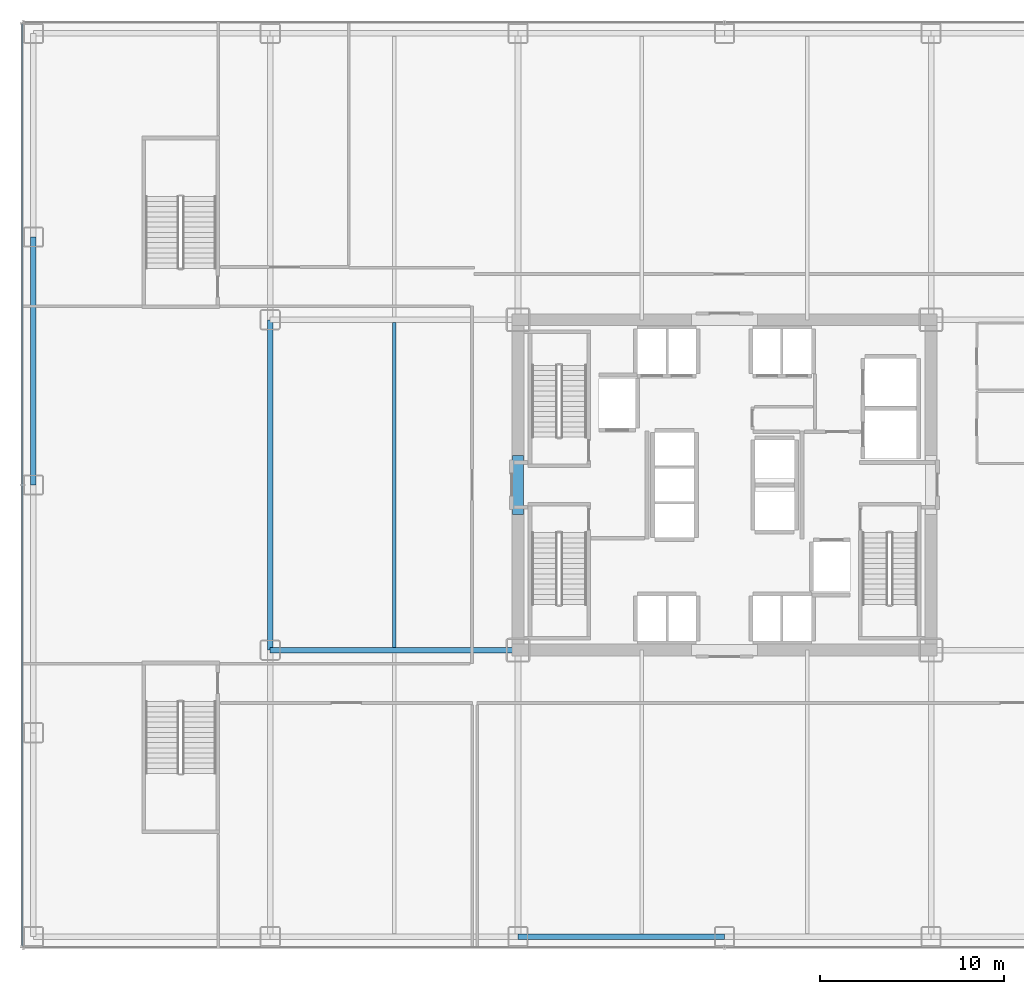
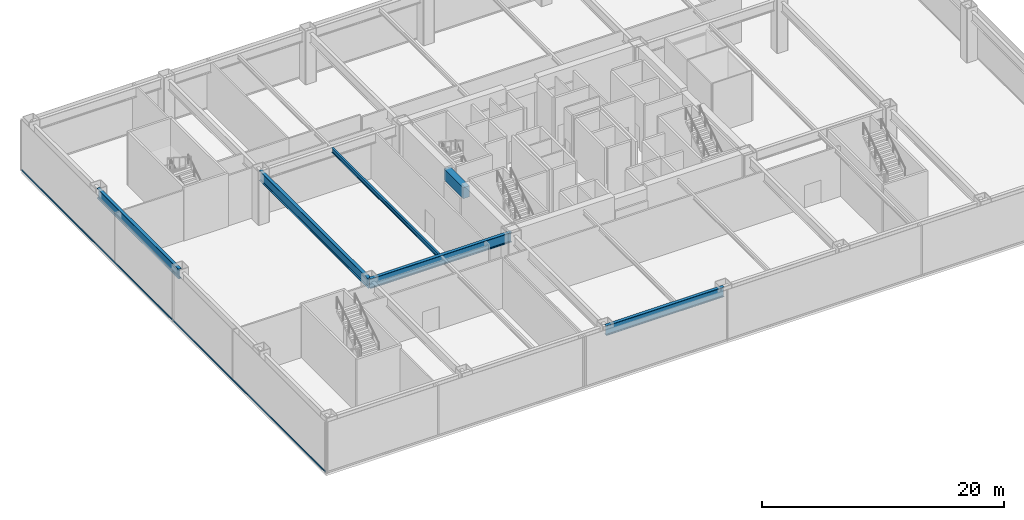
# One storey, part 5 of 24: 6 beams, 1 member, 1 element without a shape of its own.
"""IFC4 building model written with IfcOpenShell, lengths in metres."""

from ifc_helpers import new_model, si_unit, direction, frame, origin, origin_2d, place, context, subcontext, project, spatial, rectangle, hollow_rectangle, i_section, extrude, source, transform, mapped, material, layer, layer_set, material_profile, profile_set, type_object, element, aggregate, save


model = new_model("IFC4")

# Units and contexts
model_context = context("Model", 3, precision=1e-05, world=origin(), true_north=direction((0.0, 1.0)))
body_context = subcontext(model_context, "Body", "Model", "MODEL_VIEW")
ifc_project = project(units=[si_unit("LENGTHUNIT", "METRE"), si_unit("AREAUNIT", "SQUARE_METRE"), si_unit("VOLUMEUNIT", "CUBIC_METRE"), si_unit("PLANEANGLEUNIT", "RADIAN"), si_unit("MASSUNIT", "GRAM", prefix="KILO")], contexts=[model_context])

# Site, building, storey
site_placement = place(None, origin())
site = spatial("IfcSite", under=ifc_project, at=site_placement, CompositionType="ELEMENT")
building_placement = place(site_placement, origin())
building = spatial("IfcBuilding", under=site, at=building_placement, Name="Nefas-Gora Pilgrimage Tower", CompositionType="ELEMENT")
storey_placement = place(building_placement, frame((0.0, 0.0, 6.0)))
storey = spatial("IfcBuildingStorey", under=building, at=storey_placement, Name="L01", CompositionType="ELEMENT", Elevation=6.0)

# Beams
ifc_material_1 = material(Name="Concrete C60/75", Category="concrete")
ifc_material_profile_1 = material_profile(ifc_material_1, rectangle(XDim=0.60009765625, YDim=1.10009765625, at=origin_2d()), Name="RC 600x1100")
ifc_profile_set_1 = profile_set([ifc_material_profile_1], Name="Concrete C60/75")
beam_type_1 = type_object("IfcBeamType", Name="BM-LIN-RC1100", PredefinedType="LINTEL", material=ifc_profile_set_1)
shared_shape_1 = source(origin(), body_context, "Body", "SweptSolid", [
    extrude(rectangle(XDim=0.60009765625, YDim=1.10009765625, at=origin_2d()), origin(), (0.0, 0.0, 1.0), 3.2001953125),
])
beam_1_placement = place(storey_placement, frame((-11.25, -1.60009765625, 4.550048828125), z_axis=(0.0, 1.0, 0.0), x_axis=(-1.0, 0.0, 0.0)))
element("IfcBeam", 1, at=beam_1_placement, inside=storey, type_object=beam_type_1, Name="L01 Core Coupling Lintel Beam W", PredefinedType="LINTEL", context=body_context, shape_type="MappedRepresentation", body=[
    mapped(shared_shape_1, transform((0.0, 0.0, 0.0), x_axis=(1.0, 0.0, 0.0), y_axis=(0.0, 1.0, 0.0), z_axis=(0.0, 0.0, 1.0), scale=1.0)),
])
ifc_material_2 = material(Name="Steel S355", Category="steel")
ifc_material_profile_2 = material_profile(ifc_material_2, i_section(OverallWidth=0.18994140625, OverallDepth=0.449951171875, WebThickness=0.009521484375, FlangeThickness=0.0146484375, FilletRadius=0.02099609375, at=origin_2d()), Name="IPE 450")
ifc_profile_set_2 = profile_set([ifc_material_profile_2], Name="Steel S355")
beam_type_2 = type_object("IfcBeamType", Name="BM-JST-IPE450", PredefinedType="JOIST", material=ifc_profile_set_2)
shared_shape_2 = source(origin(), body_context, "Body", "SweptSolid", [
    extrude(i_section(OverallWidth=0.18994140625, OverallDepth=0.449951171875, WebThickness=0.009521484375, FlangeThickness=0.0146484375, FilletRadius=0.02099609375, at=origin_2d()), origin(), (0.0, 0.0, 1.0), 17.68798828125),
])
beam_2_placement = place(storey_placement, frame((-18.0, -8.843994140625, 4.875), z_axis=(0.0, 1.0, 0.0), x_axis=(-1.0, 0.0, 0.0)))
element("IfcBeam", 2, at=beam_2_placement, inside=storey, type_object=beam_type_2, Name="L01 J-01 beam", PredefinedType="JOIST", context=body_context, shape_type="MappedRepresentation", body=[
    mapped(shared_shape_2, transform((0.0, 0.0, 0.0), x_axis=(1.0, 0.0, 0.0), y_axis=(0.0, 1.0, 0.0), z_axis=(0.0, 0.0, 1.0), scale=1.0)),
])
ifc_material_3 = material(Name="Steel S460", Category="steel")
ifc_material_profile_3 = material_profile(ifc_material_3, i_section(OverallWidth=0.300048828125, OverallDepth=1.0, WebThickness=0.01904296875, FlangeThickness=0.035888671875, FilletRadius=0.030029296875, at=origin_2d()), Name="HEB 1000")
ifc_profile_set_3 = profile_set([ifc_material_profile_3], Name="Steel S460")
beam_type_3 = type_object("IfcBeamType", Name="BM-POD-HEB1000E", PredefinedType="BEAM", material=ifc_profile_set_3)
shared_shape_3 = source(origin(), body_context, "Body", "SweptSolid", [
    extrude(i_section(OverallWidth=0.300048828125, OverallDepth=1.0, WebThickness=0.01904296875, FlangeThickness=0.035888671875, FilletRadius=0.030029296875, at=origin_2d()), origin(), (0.0, 0.0, 1.0), 13.5),
])
beam_3_placement = place(storey_placement, frame((-37.64990234375, 0.0, 4.60009765625), z_axis=(0.0, 1.0, 0.0), x_axis=(-1.0, 0.0, 0.0)))
element("IfcBeam", 3, at=beam_3_placement, inside=storey, type_object=beam_type_3, Name="L01 PG-01E beam", PredefinedType="BEAM", context=body_context, shape_type="MappedRepresentation", body=[
    mapped(shared_shape_3, transform((0.0, 0.0, 0.0), x_axis=(1.0, 0.0, 0.0), y_axis=(0.0, 1.0, 0.0), z_axis=(0.0, 0.0, 1.0), scale=1.0)),
])
shared_shape_4 = source(origin(), body_context, "Body", "SweptSolid", [
    extrude(i_section(OverallWidth=0.300048828125, OverallDepth=1.0, WebThickness=0.01904296875, FlangeThickness=0.035888671875, FilletRadius=0.030029296875, at=origin_2d()), origin(), (0.0, 0.0, 1.0), 11.25),
])
beam_4_placement = place(storey_placement, frame((-11.25, -24.60009765625, 4.60009765625), z_axis=(1.0, 0.0, 0.0), x_axis=(0.0, 1.0, 0.0)))
element("IfcBeam", 4, at=beam_4_placement, inside=storey, type_object=beam_type_3, Name="L01 PG-01E beam", PredefinedType="BEAM", context=body_context, shape_type="MappedRepresentation", body=[
    mapped(shared_shape_4, transform((0.0, 0.0, 0.0), x_axis=(1.0, 0.0, 0.0), y_axis=(0.0, 1.0, 0.0), z_axis=(0.0, 0.0, 1.0), scale=1.0)),
])
ifc_material_profile_4 = material_profile(ifc_material_3, i_section(OverallWidth=0.300048828125, OverallDepth=1.0, WebThickness=0.01904296875, FlangeThickness=0.035888671875, FilletRadius=0.030029296875, at=origin_2d()), Name="HEB 1000")
ifc_profile_set_4 = profile_set([ifc_material_profile_4], Name="Steel S460")
beam_type_4 = type_object("IfcBeamType", Name="BM-POD-HEB1000", PredefinedType="BEAM", material=ifc_profile_set_4)
shared_shape_5 = source(origin(), body_context, "Body", "SweptSolid", [
    extrude(i_section(OverallWidth=0.300048828125, OverallDepth=1.0, WebThickness=0.01904296875, FlangeThickness=0.035888671875, FilletRadius=0.030029296875, at=origin_2d()), origin(), (0.0, 0.0, 1.0), 13.5),
])
beam_5_placement = place(storey_placement, frame((-24.75, -9.0, 4.60009765625), z_axis=(1.0, 0.0, 0.0), x_axis=(0.0, 1.0, 0.0)))
element("IfcBeam", 5, at=beam_5_placement, inside=storey, type_object=beam_type_4, Name="L01 PG-01 beam", PredefinedType="BEAM", context=body_context, shape_type="MappedRepresentation", body=[
    mapped(shared_shape_5, transform((0.0, 0.0, 0.0), x_axis=(1.0, 0.0, 0.0), y_axis=(0.0, 1.0, 0.0), z_axis=(0.0, 0.0, 1.0), scale=1.0)),
])
shared_shape_6 = source(origin(), body_context, "Body", "SweptSolid", [
    extrude(i_section(OverallWidth=0.300048828125, OverallDepth=1.0, WebThickness=0.01904296875, FlangeThickness=0.035888671875, FilletRadius=0.030029296875, at=origin_2d()), origin(), (0.0, 0.0, 1.0), 18.0),
])
beam_6_placement = place(storey_placement, frame((-24.75, -9.0, 4.60009765625), z_axis=(0.0, 1.0, 0.0), x_axis=(-1.0, 0.0, 0.0)))
element("IfcBeam", 6, at=beam_6_placement, inside=storey, type_object=beam_type_4, Name="L01 PG-01 beam", PredefinedType="BEAM", context=body_context, shape_type="MappedRepresentation", body=[
    mapped(shared_shape_6, transform((0.0, 0.0, 0.0), x_axis=(1.0, 0.0, 0.0), y_axis=(0.0, 1.0, 0.0), z_axis=(0.0, 0.0, 1.0), scale=1.0)),
])

# Curtain wall, member
ifc_material_4 = material(Name="Dark ceramic-fritted solar-control aluminium-glass curtain wall", Category="aluminium")
ifc_layer = layer(ifc_material_4, 0.219970703125)
ifc_layer_set = layer_set([ifc_layer], Name="Dark ceramic-fritted solar-control aluminium-glass curtain wall")
curtain_wall_type = type_object("IfcCurtainWallType", Name="CW-SYS-1", PredefinedType="NOTDEFINED", material=ifc_layer_set)
curtain_wall_placement = place(storey_placement, origin())
curtain_wall = element("IfcCurtainWall", 7, at=curtain_wall_placement, inside=storey, type_object=curtain_wall_type, Name="L01 Unitised Curtain Wall CW1", PredefinedType="NOTDEFINED")
ifc_material_5 = material(Name="Anodised architectural aluminium", Category="aluminium")
ifc_material_profile_5 = material_profile(ifc_material_5, hollow_rectangle(XDim=0.080078125, YDim=0.159912109375, WallThickness=0.00439453125, InnerFilletRadius=0.00439453125, OuterFilletRadius=0.009033203125, at=origin_2d()), Name="ALU TRANSOM 80x160")
ifc_profile_set_5 = profile_set([ifc_material_profile_5], Name="Anodised architectural aluminium")
member_type = type_object("IfcMemberType", Name="CWM-TRN-1", PredefinedType="USERDEFINED", material=ifc_profile_set_5)
shared_shape_7 = source(origin(), body_context, "Body", "SweptSolid", [
    extrude(hollow_rectangle(XDim=0.080078125, YDim=0.159912109375, WallThickness=0.00439453125, InnerFilletRadius=0.00439453125, OuterFilletRadius=0.009033203125, at=origin_2d()), origin(), (0.0, 0.0, 1.0), 50.22021484375),
])
member_placement = place(storey_placement, frame((-38.25, 25.110107421875, 0.050048828125), z_axis=(0.0, -1.0, 0.0), x_axis=(1.0, 0.0, 0.0)))
member = element("IfcMember", 8, at=member_placement, type_object=member_type, Name="CW1 Spandrel Transom", ObjectType="TRANSOM", PredefinedType="USERDEFINED", context=body_context, shape_type="MappedRepresentation", body=[
    mapped(shared_shape_7, transform((0.0, 0.0, 0.0), x_axis=(1.0, 0.0, 0.0), y_axis=(0.0, 1.0, 0.0), z_axis=(0.0, 0.0, 1.0), scale=1.0)),
])
aggregate(curtain_wall, [member])

save(model, "model.ifc")
